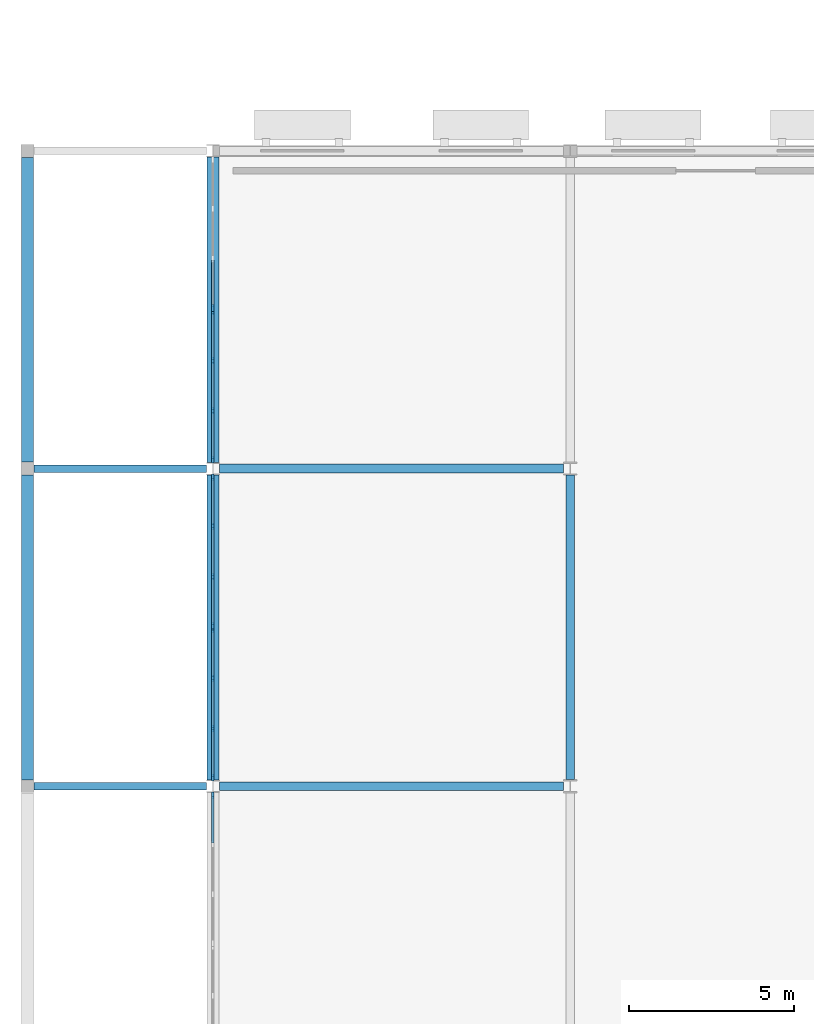
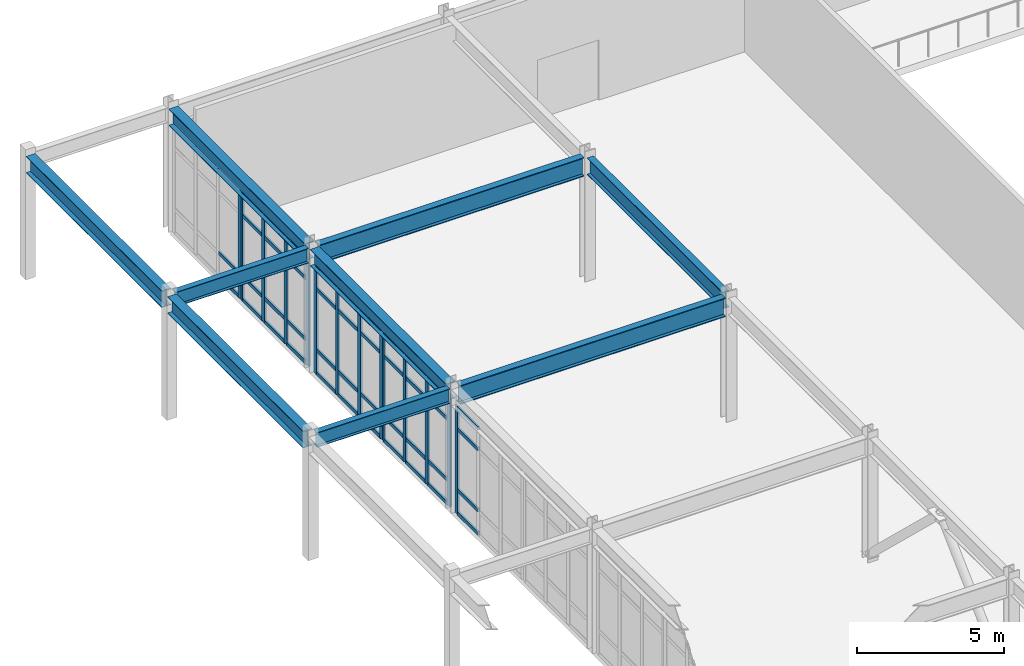
# One storey, part 21 of 72: 56 members, 9 beams, 5 elements without a shape of their own.
"""IFC4 building model written with IfcOpenShell, lengths in metres."""

from ifc_helpers import new_model, si_unit, direction, frame, origin, origin_2d, place, context, subcontext, project, spatial, rectangle, i_section, extrude, material, material_profile, profile_set, type_object, element, aggregate, save


model = new_model("IFC4")

# Units and contexts
model_context = context("Model", 3, precision=1e-05, world=origin(), true_north=direction((0.0, 1.0)))
body_context = subcontext(model_context, "Body", "Model", "MODEL_VIEW")
ifc_project = project(units=[si_unit("LENGTHUNIT", "METRE"), si_unit("AREAUNIT", "SQUARE_METRE"), si_unit("VOLUMEUNIT", "CUBIC_METRE"), si_unit("PLANEANGLEUNIT", "RADIAN"), si_unit("MASSUNIT", "GRAM", prefix="KILO")], contexts=[model_context])

# Site, building, storey
site_placement = place(None, origin())
site = spatial("IfcSite", under=ifc_project, at=site_placement, CompositionType="ELEMENT")
building_placement = place(site_placement, origin())
building = spatial("IfcBuilding", under=site, at=building_placement, Name="Veldera Park Congress Hotel", CompositionType="ELEMENT")
storey_placement = place(building_placement, frame((0.0, 0.0, 5.39990234375)))
storey = spatial("IfcBuildingStorey", under=building, at=storey_placement, Name="L01", CompositionType="ELEMENT", Elevation=5.39990234375)

# Beams
ifc_material_1 = material(Name="Steel ASTM A992 Gr.50", Category="steel")
ifc_material_profile_1 = material_profile(ifc_material_1, i_section(OverallWidth=0.22900390625, OverallDepth=0.612060546875, WebThickness=0.011962890625, FlangeThickness=0.01953125, at=origin_2d()), Name="W24X84")
ifc_profile_set_1 = profile_set([ifc_material_profile_1], Name="Steel ASTM A992 Gr.50")
beam_type_1 = type_object("IfcBeamType", Name="BM-W24", PredefinedType="BEAM", material=ifc_profile_set_1)
for number, where, z_axis, x_axis, name in (
    (1, (-83.60498046875, 7.800048828125, 4.82421875), (1.0, 0.0, 0.0), (0.0, 1.0, 0.0), "L01 Girder BM-W24 590"),
    (2, (-83.60498046875, 17.39990234375, 4.82421875), (1.0, 0.0, 0.0), (0.0, 1.0, 0.0), "L01 Girder BM-W24 596"),
):
    element("IfcBeam", number, at=place(storey_placement, frame(where, z_axis=z_axis, x_axis=x_axis)), inside=storey, type_object=beam_type_1, Name=name, PredefinedType="BEAM", context=body_context, shape_type="SweptSolid", body=[
        extrude(i_section(OverallWidth=0.22900390625, OverallDepth=0.612060546875, WebThickness=0.011962890625, FlangeThickness=0.01953125, at=origin_2d()), origin(), (0.0, 0.0, 1.0), 5.2080078125),
    ])
ifc_material_profile_2 = material_profile(ifc_material_1, i_section(OverallWidth=0.256103515625, OverallDepth=0.693115234375, WebThickness=0.014404296875, FlangeThickness=0.023681640625, at=origin_2d()), Name="W27X114")
ifc_profile_set_2 = profile_set([ifc_material_profile_2], Name="Steel ASTM A992 Gr.50")
beam_type_2 = type_object("IfcBeamType", Name="BM-W27", PredefinedType="BEAM", material=ifc_profile_set_2)
beam_1_placement = place(storey_placement, frame((-67.39990234375, 7.99951171875, 4.78369140625), z_axis=(0.0, 1.0, 0.0), x_axis=(-1.0, 0.0, 0.0)))
element("IfcBeam", 3, at=beam_1_placement, inside=storey, type_object=beam_type_2, Name="L01 Girder BM-W27 680", PredefinedType="BEAM", context=body_context, shape_type="SweptSolid", body=[
    extrude(i_section(OverallWidth=0.256103515625, OverallDepth=0.693115234375, WebThickness=0.014404296875, FlangeThickness=0.023681640625, at=origin_2d()), origin(), (0.0, 0.0, 1.0), 9.200927734375),
])
ifc_material_profile_3 = material_profile(ifc_material_1, i_section(OverallWidth=0.35498046875, OverallDepth=0.696044921875, WebThickness=0.015380859375, FlangeThickness=0.02490234375, at=origin_2d()), Name="W27X146")
ifc_profile_set_3 = profile_set([ifc_material_profile_3], Name="Steel ASTM A992 Gr.50")
beam_type_3 = type_object("IfcBeamType", Name="BM-W27E", PredefinedType="BEAM", material=ifc_profile_set_3)
for number, where, z_axis, x_axis, name in (
    (4, (-83.800048828125, 7.9951171875, 4.781982421875), (0.0, 1.0, 0.0), (-1.0, 0.0, 0.0), "L01 Girder BM-W27E 662"),
    (5, (-83.800048828125, 17.594970703125, 4.781982421875), (0.0, 1.0, 0.0), (-1.0, 0.0, 0.0), "L01 Girder BM-W27E 663"),
):
    element("IfcBeam", number, at=place(storey_placement, frame(where, z_axis=z_axis, x_axis=x_axis)), inside=storey, type_object=beam_type_3, Name=name, PredefinedType="BEAM", context=body_context, shape_type="SweptSolid", body=[
        extrude(i_section(OverallWidth=0.35498046875, OverallDepth=0.696044921875, WebThickness=0.015380859375, FlangeThickness=0.02490234375, at=origin_2d()), origin(), (0.0, 0.0, 1.0), 9.2099609375),
    ])
beam_2_placement = place(storey_placement, frame((-78.199951171875, 7.987548828125, 4.781982421875), z_axis=(0.0, 1.0, 0.0), x_axis=(-1.0, 0.0, 0.0)))
element("IfcBeam", 6, at=beam_2_placement, inside=storey, type_object=beam_type_3, Name="L01 Girder BM-W27E 671", PredefinedType="BEAM", context=body_context, shape_type="SweptSolid", body=[
    extrude(i_section(OverallWidth=0.35498046875, OverallDepth=0.696044921875, WebThickness=0.015380859375, FlangeThickness=0.02490234375, at=origin_2d()), origin(), (0.0, 0.0, 1.0), 9.224853515625),
])
beam_3_placement = place(storey_placement, frame((-78.199951171875, 17.58740234375, 4.781982421875), z_axis=(0.0, 1.0, 0.0), x_axis=(-1.0, 0.0, 0.0)))
element("IfcBeam", 7, at=beam_3_placement, inside=storey, type_object=beam_type_3, Name="L01 Girder BM-W27E 672", PredefinedType="BEAM", context=body_context, shape_type="SweptSolid", body=[
    extrude(i_section(OverallWidth=0.35498046875, OverallDepth=0.696044921875, WebThickness=0.015380859375, FlangeThickness=0.02490234375, at=origin_2d()), origin(), (0.0, 0.0, 1.0), 9.22509765625),
])
ifc_material_profile_4 = material_profile(ifc_material_1, i_section(OverallWidth=0.26708984375, OverallDepth=0.779052734375, WebThickness=0.0166015625, FlangeThickness=0.030029296875, at=origin_2d()), Name="W30X148")
ifc_profile_set_4 = profile_set([ifc_material_profile_4], Name="Steel ASTM A992 Gr.50")
beam_type_4 = type_object("IfcBeamType", Name="BM-W30", PredefinedType="BEAM", material=ifc_profile_set_4)
for number, where, z_axis, x_axis, name in (
    (8, (-78.0029296875, 7.800048828125, 4.740478515625), (1.0, 0.0, 0.0), (0.0, 1.0, 0.0), "L01 Girder BM-W30 591"),
    (9, (-78.0029296875, 17.39990234375, 4.740478515625), (1.0, 0.0, 0.0), (0.0, 1.0, 0.0), "L01 Girder BM-W30 597"),
):
    element("IfcBeam", number, at=place(storey_placement, frame(where, z_axis=z_axis, x_axis=x_axis)), inside=storey, type_object=beam_type_4, Name=name, PredefinedType="BEAM", context=body_context, shape_type="SweptSolid", body=[
        extrude(i_section(OverallWidth=0.26708984375, OverallDepth=0.779052734375, WebThickness=0.0166015625, FlangeThickness=0.030029296875, at=origin_2d()), origin(), (0.0, 0.0, 1.0), 10.40234375),
    ])

# Curtain wall, member
ifc_material_2 = material(Name="Low-E Triple Insulating Glass Unit (SHGC 0.22)", Category="glass")
curtain_wall_type = type_object("IfcCurtainWallType", Name="CW-CNG", PredefinedType="NOTDEFINED", material=ifc_material_2)
curtain_wall_1_placement = place(storey_placement, origin())
curtain_wall_1 = element("IfcCurtainWall", 10, at=curtain_wall_1_placement, inside=storey, type_object=curtain_wall_type, Name="L01 Curtain Wall CW3-V1W-L01-011", PredefinedType="NOTDEFINED")
ifc_material_3 = material(Name="Anodised Aluminium Alloy 6063-T6", Category="aluminium")
ifc_material_profile_5 = material_profile(ifc_material_3, rectangle(XDim=0.074951171875, YDim=0.199951171875, at=origin_2d()), Name="ALU 75x200")
ifc_profile_set_5 = profile_set([ifc_material_profile_5], Name="Anodised Aluminium Alloy 6063-T6")
member_type_1 = type_object("IfcMemberType", Name="CWM-200", PredefinedType="MULLION", material=ifc_profile_set_5)
member_1_placement = place(storey_placement, frame((-78.199951171875, 22.25244140625, 0.0), z_axis=(0.0, 0.0, 1.0), x_axis=(1.0, 0.0, 0.0)))
member_1 = element("IfcMember", 11, at=member_1_placement, type_object=member_type_1, Name="CW-CNG mullion 4", PredefinedType="MULLION", context=body_context, shape_type="SweptSolid", body=[
    extrude(rectangle(XDim=0.074951171875, YDim=0.199951171875, at=origin_2d()), origin(), (0.0, 0.0, 1.0), 4.42919921875),
])

# Curtain wall, members
curtain_wall_2_placement = place(storey_placement, origin())
curtain_wall_2 = element("IfcCurtainWall", 12, at=curtain_wall_2_placement, inside=storey, type_object=curtain_wall_type, Name="L01 Curtain Wall CW3-V1W-L01-012", PredefinedType="NOTDEFINED")
member_2_placement = place(storey_placement, frame((-78.199951171875, 22.1474609375, 0.0), z_axis=(0.0, 0.0, 1.0), x_axis=(1.0, 0.0, 0.0)))
member_2 = element("IfcMember", 13, at=member_2_placement, type_object=member_type_1, Name="CW-CNG mullion 1", PredefinedType="MULLION", context=body_context, shape_type="SweptSolid", body=[
    extrude(rectangle(XDim=0.074951171875, YDim=0.199951171875, at=origin_2d()), origin(), (0.0, 0.0, 1.0), 4.42919921875),
])
member_3_placement = place(storey_placement, frame((-78.199951171875, 20.665771484375, 0.0), z_axis=(0.0, 0.0, 1.0), x_axis=(1.0, 0.0, 0.0)))
member_3 = element("IfcMember", 14, at=member_3_placement, type_object=member_type_1, Name="CW-CNG mullion 2", PredefinedType="MULLION", context=body_context, shape_type="SweptSolid", body=[
    extrude(rectangle(XDim=0.074951171875, YDim=0.199951171875, at=origin_2d()), origin(), (0.0, 0.0, 1.0), 4.42919921875),
])
member_4_placement = place(storey_placement, frame((-78.199951171875, 19.146728515625, 0.0), z_axis=(0.0, 0.0, 1.0), x_axis=(1.0, 0.0, 0.0)))
member_4 = element("IfcMember", 15, at=member_4_placement, type_object=member_type_1, Name="CW-CNG mullion 3", PredefinedType="MULLION", context=body_context, shape_type="SweptSolid", body=[
    extrude(rectangle(XDim=0.074951171875, YDim=0.199951171875, at=origin_2d()), origin(), (0.0, 0.0, 1.0), 4.42919921875),
])
member_5_placement = place(storey_placement, frame((-78.199951171875, 17.6650390625, 0.0), z_axis=(0.0, 0.0, 1.0), x_axis=(1.0, 0.0, 0.0)))
member_5 = element("IfcMember", 16, at=member_5_placement, type_object=member_type_1, Name="CW-CNG mullion 4", PredefinedType="MULLION", context=body_context, shape_type="SweptSolid", body=[
    extrude(rectangle(XDim=0.074951171875, YDim=0.199951171875, at=origin_2d()), origin(), (0.0, 0.0, 1.0), 4.42919921875),
])

curtain_wall_3_placement = place(storey_placement, origin())
curtain_wall_3 = element("IfcCurtainWall", 17, at=curtain_wall_3_placement, inside=storey, type_object=curtain_wall_type, Name="L01 Curtain Wall CW3-V1W-L01-013", PredefinedType="NOTDEFINED")
member_6_placement = place(storey_placement, frame((-78.199951171875, 17.135009765625, 0.0), z_axis=(0.0, 0.0, 1.0), x_axis=(1.0, 0.0, 0.0)))
member_6 = element("IfcMember", 18, at=member_6_placement, type_object=member_type_1, Name="CW-CNG mullion 1", PredefinedType="MULLION", context=body_context, shape_type="SweptSolid", body=[
    extrude(rectangle(XDim=0.074951171875, YDim=0.199951171875, at=origin_2d()), origin(), (0.0, 0.0, 1.0), 4.42919921875),
])
member_7_placement = place(storey_placement, frame((-78.199951171875, 15.6533203125, 0.0), z_axis=(0.0, 0.0, 1.0), x_axis=(1.0, 0.0, 0.0)))
member_7 = element("IfcMember", 19, at=member_7_placement, type_object=member_type_1, Name="CW-CNG mullion 2", PredefinedType="MULLION", context=body_context, shape_type="SweptSolid", body=[
    extrude(rectangle(XDim=0.074951171875, YDim=0.199951171875, at=origin_2d()), origin(), (0.0, 0.0, 1.0), 4.42919921875),
])
member_8_placement = place(storey_placement, frame((-78.199951171875, 14.13427734375, 0.0), z_axis=(0.0, 0.0, 1.0), x_axis=(1.0, 0.0, 0.0)))
member_8 = element("IfcMember", 20, at=member_8_placement, type_object=member_type_1, Name="CW-CNG mullion 3", PredefinedType="MULLION", context=body_context, shape_type="SweptSolid", body=[
    extrude(rectangle(XDim=0.074951171875, YDim=0.199951171875, at=origin_2d()), origin(), (0.0, 0.0, 1.0), 4.42919921875),
])
member_9_placement = place(storey_placement, frame((-78.199951171875, 12.652587890625, 0.0), z_axis=(0.0, 0.0, 1.0), x_axis=(1.0, 0.0, 0.0)))
member_9 = element("IfcMember", 21, at=member_9_placement, type_object=member_type_1, Name="CW-CNG mullion 4", PredefinedType="MULLION", context=body_context, shape_type="SweptSolid", body=[
    extrude(rectangle(XDim=0.074951171875, YDim=0.199951171875, at=origin_2d()), origin(), (0.0, 0.0, 1.0), 4.42919921875),
])

curtain_wall_4_placement = place(storey_placement, origin())
curtain_wall_4 = element("IfcCurtainWall", 22, at=curtain_wall_4_placement, inside=storey, type_object=curtain_wall_type, Name="L01 Curtain Wall CW3-V1W-L01-014", PredefinedType="NOTDEFINED")
member_10_placement = place(storey_placement, frame((-78.199951171875, 12.547607421875, 0.0), z_axis=(0.0, 0.0, 1.0), x_axis=(1.0, 0.0, 0.0)))
member_10 = element("IfcMember", 23, at=member_10_placement, type_object=member_type_1, Name="CW-CNG mullion 1", PredefinedType="MULLION", context=body_context, shape_type="SweptSolid", body=[
    extrude(rectangle(XDim=0.074951171875, YDim=0.199951171875, at=origin_2d()), origin(), (0.0, 0.0, 1.0), 4.42919921875),
])
member_11_placement = place(storey_placement, frame((-78.199951171875, 11.06591796875, 0.0), z_axis=(0.0, 0.0, 1.0), x_axis=(1.0, 0.0, 0.0)))
member_11 = element("IfcMember", 24, at=member_11_placement, type_object=member_type_1, Name="CW-CNG mullion 2", PredefinedType="MULLION", context=body_context, shape_type="SweptSolid", body=[
    extrude(rectangle(XDim=0.074951171875, YDim=0.199951171875, at=origin_2d()), origin(), (0.0, 0.0, 1.0), 4.42919921875),
])
member_12_placement = place(storey_placement, frame((-78.199951171875, 9.546630859375, 0.0), z_axis=(0.0, 0.0, 1.0), x_axis=(1.0, 0.0, 0.0)))
member_12 = element("IfcMember", 25, at=member_12_placement, type_object=member_type_1, Name="CW-CNG mullion 3", PredefinedType="MULLION", context=body_context, shape_type="SweptSolid", body=[
    extrude(rectangle(XDim=0.074951171875, YDim=0.199951171875, at=origin_2d()), origin(), (0.0, 0.0, 1.0), 4.42919921875),
])
member_13_placement = place(storey_placement, frame((-78.199951171875, 8.06494140625, 0.0), z_axis=(0.0, 0.0, 1.0), x_axis=(1.0, 0.0, 0.0)))
member_13 = element("IfcMember", 26, at=member_13_placement, type_object=member_type_1, Name="CW-CNG mullion 4", PredefinedType="MULLION", context=body_context, shape_type="SweptSolid", body=[
    extrude(rectangle(XDim=0.074951171875, YDim=0.199951171875, at=origin_2d()), origin(), (0.0, 0.0, 1.0), 4.42919921875),
])

# Curtain wall, member
curtain_wall_5_placement = place(storey_placement, origin())
curtain_wall_5 = element("IfcCurtainWall", 27, at=curtain_wall_5_placement, inside=storey, type_object=curtain_wall_type, Name="L01 Curtain Wall CW3-V1W-L01-015", PredefinedType="NOTDEFINED")
member_14_placement = place(storey_placement, frame((-78.199951171875, 7.534912109375, 0.0), z_axis=(0.0, 0.0, 1.0), x_axis=(1.0, 0.0, 0.0)))
member_14 = element("IfcMember", 28, at=member_14_placement, type_object=member_type_1, Name="CW-CNG mullion 1", PredefinedType="MULLION", context=body_context, shape_type="SweptSolid", body=[
    extrude(rectangle(XDim=0.074951171875, YDim=0.199951171875, at=origin_2d()), origin(), (0.0, 0.0, 1.0), 4.42919921875),
])

# Member
ifc_material_profile_6 = material_profile(ifc_material_3, rectangle(XDim=0.074951171875, YDim=0.14990234375, at=origin_2d()), Name="ALU 75x150")
ifc_profile_set_6 = profile_set([ifc_material_profile_6], Name="Anodised Aluminium Alloy 6063-T6")
member_type_2 = type_object("IfcMemberType", Name="CWT-150", PredefinedType="USERDEFINED", material=ifc_profile_set_6)
member_15_placement = place(storey_placement, frame((-78.199951171875, 23.69677734375, 0.03759765625), z_axis=(0.0, -1.0, 0.0), x_axis=(1.0, 0.0, 0.0)))
member_15 = element("IfcMember", 29, at=member_15_placement, type_object=member_type_2, Name="CW-CNG transom 3.1", ObjectType="TRANSOM", PredefinedType="USERDEFINED", context=body_context, shape_type="SweptSolid", body=[
    extrude(rectangle(XDim=0.074951171875, YDim=0.14990234375, at=origin_2d()), origin(), (0.0, 0.0, 1.0), 1.40673828125),
])

member_16_placement = place(storey_placement, frame((-78.199951171875, 23.69677734375, 1.0), z_axis=(0.0, -1.0, 0.0), x_axis=(1.0, 0.0, 0.0)))
member_16 = element("IfcMember", 30, at=member_16_placement, type_object=member_type_2, Name="CW-CNG transom 3.2", ObjectType="TRANSOM", PredefinedType="USERDEFINED", context=body_context, shape_type="SweptSolid", body=[
    extrude(rectangle(XDim=0.074951171875, YDim=0.14990234375, at=origin_2d()), origin(), (0.0, 0.0, 1.0), 1.40673828125),
])

aggregate(curtain_wall_1, [member_1, member_15, member_16])

member_17_placement = place(storey_placement, frame((-78.199951171875, 22.110107421875, 0.03759765625), z_axis=(0.0, -1.0, 0.0), x_axis=(1.0, 0.0, 0.0)))
member_17 = element("IfcMember", 31, at=member_17_placement, type_object=member_type_2, Name="CW-CNG transom 1.1", ObjectType="TRANSOM", PredefinedType="USERDEFINED", context=body_context, shape_type="SweptSolid", body=[
    extrude(rectangle(XDim=0.074951171875, YDim=0.14990234375, at=origin_2d()), origin(), (0.0, 0.0, 1.0), 1.40673828125),
])

member_18_placement = place(storey_placement, frame((-78.199951171875, 22.110107421875, 1.0), z_axis=(0.0, -1.0, 0.0), x_axis=(1.0, 0.0, 0.0)))
member_18 = element("IfcMember", 32, at=member_18_placement, type_object=member_type_2, Name="CW-CNG transom 1.2", ObjectType="TRANSOM", PredefinedType="USERDEFINED", context=body_context, shape_type="SweptSolid", body=[
    extrude(rectangle(XDim=0.074951171875, YDim=0.14990234375, at=origin_2d()), origin(), (0.0, 0.0, 1.0), 1.40673828125),
])

member_19_placement = place(storey_placement, frame((-78.199951171875, 22.110107421875, 3.529052734375), z_axis=(0.0, -1.0, 0.0), x_axis=(1.0, 0.0, 0.0)))
member_19 = element("IfcMember", 33, at=member_19_placement, type_object=member_type_2, Name="CW-CNG transom 1.3", ObjectType="TRANSOM", PredefinedType="USERDEFINED", context=body_context, shape_type="SweptSolid", body=[
    extrude(rectangle(XDim=0.074951171875, YDim=0.14990234375, at=origin_2d()), origin(), (0.0, 0.0, 1.0), 1.40673828125),
])

member_20_placement = place(storey_placement, frame((-78.199951171875, 22.110107421875, 4.3916015625), z_axis=(0.0, -1.0, 0.0), x_axis=(1.0, 0.0, 0.0)))
member_20 = element("IfcMember", 34, at=member_20_placement, type_object=member_type_2, Name="CW-CNG transom 1.4", ObjectType="TRANSOM", PredefinedType="USERDEFINED", context=body_context, shape_type="SweptSolid", body=[
    extrude(rectangle(XDim=0.074951171875, YDim=0.14990234375, at=origin_2d()), origin(), (0.0, 0.0, 1.0), 1.40673828125),
])

member_21_placement = place(storey_placement, frame((-78.199951171875, 20.62841796875, 0.03759765625), z_axis=(0.0, -1.0, 0.0), x_axis=(1.0, 0.0, 0.0)))
member_21 = element("IfcMember", 35, at=member_21_placement, type_object=member_type_2, Name="CW-CNG transom 2.1", ObjectType="TRANSOM", PredefinedType="USERDEFINED", context=body_context, shape_type="SweptSolid", body=[
    extrude(rectangle(XDim=0.074951171875, YDim=0.14990234375, at=origin_2d()), origin(), (0.0, 0.0, 1.0), 1.4443359375),
])

member_22_placement = place(storey_placement, frame((-78.199951171875, 20.62841796875, 1.0), z_axis=(0.0, -1.0, 0.0), x_axis=(1.0, 0.0, 0.0)))
member_22 = element("IfcMember", 36, at=member_22_placement, type_object=member_type_2, Name="CW-CNG transom 2.2", ObjectType="TRANSOM", PredefinedType="USERDEFINED", context=body_context, shape_type="SweptSolid", body=[
    extrude(rectangle(XDim=0.074951171875, YDim=0.14990234375, at=origin_2d()), origin(), (0.0, 0.0, 1.0), 1.4443359375),
])

member_23_placement = place(storey_placement, frame((-78.199951171875, 20.62841796875, 3.529052734375), z_axis=(0.0, -1.0, 0.0), x_axis=(1.0, 0.0, 0.0)))
member_23 = element("IfcMember", 37, at=member_23_placement, type_object=member_type_2, Name="CW-CNG transom 2.3", ObjectType="TRANSOM", PredefinedType="USERDEFINED", context=body_context, shape_type="SweptSolid", body=[
    extrude(rectangle(XDim=0.074951171875, YDim=0.14990234375, at=origin_2d()), origin(), (0.0, 0.0, 1.0), 1.4443359375),
])

member_24_placement = place(storey_placement, frame((-78.199951171875, 20.62841796875, 4.3916015625), z_axis=(0.0, -1.0, 0.0), x_axis=(1.0, 0.0, 0.0)))
member_24 = element("IfcMember", 38, at=member_24_placement, type_object=member_type_2, Name="CW-CNG transom 2.4", ObjectType="TRANSOM", PredefinedType="USERDEFINED", context=body_context, shape_type="SweptSolid", body=[
    extrude(rectangle(XDim=0.074951171875, YDim=0.14990234375, at=origin_2d()), origin(), (0.0, 0.0, 1.0), 1.4443359375),
])

member_25_placement = place(storey_placement, frame((-78.199951171875, 19.109130859375, 0.03759765625), z_axis=(0.0, -1.0, 0.0), x_axis=(1.0, 0.0, 0.0)))
member_25 = element("IfcMember", 39, at=member_25_placement, type_object=member_type_2, Name="CW-CNG transom 3.1", ObjectType="TRANSOM", PredefinedType="USERDEFINED", context=body_context, shape_type="SweptSolid", body=[
    extrude(rectangle(XDim=0.074951171875, YDim=0.14990234375, at=origin_2d()), origin(), (0.0, 0.0, 1.0), 1.40673828125),
])

member_26_placement = place(storey_placement, frame((-78.199951171875, 19.109130859375, 1.0), z_axis=(0.0, -1.0, 0.0), x_axis=(1.0, 0.0, 0.0)))
member_26 = element("IfcMember", 40, at=member_26_placement, type_object=member_type_2, Name="CW-CNG transom 3.2", ObjectType="TRANSOM", PredefinedType="USERDEFINED", context=body_context, shape_type="SweptSolid", body=[
    extrude(rectangle(XDim=0.074951171875, YDim=0.14990234375, at=origin_2d()), origin(), (0.0, 0.0, 1.0), 1.40673828125),
])

member_27_placement = place(storey_placement, frame((-78.199951171875, 19.109130859375, 3.529052734375), z_axis=(0.0, -1.0, 0.0), x_axis=(1.0, 0.0, 0.0)))
member_27 = element("IfcMember", 41, at=member_27_placement, type_object=member_type_2, Name="CW-CNG transom 3.3", ObjectType="TRANSOM", PredefinedType="USERDEFINED", context=body_context, shape_type="SweptSolid", body=[
    extrude(rectangle(XDim=0.074951171875, YDim=0.14990234375, at=origin_2d()), origin(), (0.0, 0.0, 1.0), 1.40673828125),
])

member_28_placement = place(storey_placement, frame((-78.199951171875, 19.109130859375, 4.3916015625), z_axis=(0.0, -1.0, 0.0), x_axis=(1.0, 0.0, 0.0)))
member_28 = element("IfcMember", 42, at=member_28_placement, type_object=member_type_2, Name="CW-CNG transom 3.4", ObjectType="TRANSOM", PredefinedType="USERDEFINED", context=body_context, shape_type="SweptSolid", body=[
    extrude(rectangle(XDim=0.074951171875, YDim=0.14990234375, at=origin_2d()), origin(), (0.0, 0.0, 1.0), 1.40673828125),
])

aggregate(curtain_wall_2, [member_2, member_3, member_4, member_5, member_17, member_18, member_19, member_20, member_21, member_22, member_23, member_24, member_25, member_26, member_27, member_28])

member_29_placement = place(storey_placement, frame((-78.199951171875, 17.097412109375, 0.03759765625), z_axis=(0.0, -1.0, 0.0), x_axis=(1.0, 0.0, 0.0)))
member_29 = element("IfcMember", 43, at=member_29_placement, type_object=member_type_2, Name="CW-CNG transom 1.1", ObjectType="TRANSOM", PredefinedType="USERDEFINED", context=body_context, shape_type="SweptSolid", body=[
    extrude(rectangle(XDim=0.074951171875, YDim=0.14990234375, at=origin_2d()), origin(), (0.0, 0.0, 1.0), 1.406494140625),
])

member_30_placement = place(storey_placement, frame((-78.199951171875, 17.097412109375, 1.0), z_axis=(0.0, -1.0, 0.0), x_axis=(1.0, 0.0, 0.0)))
member_30 = element("IfcMember", 44, at=member_30_placement, type_object=member_type_2, Name="CW-CNG transom 1.2", ObjectType="TRANSOM", PredefinedType="USERDEFINED", context=body_context, shape_type="SweptSolid", body=[
    extrude(rectangle(XDim=0.074951171875, YDim=0.14990234375, at=origin_2d()), origin(), (0.0, 0.0, 1.0), 1.406494140625),
])

member_31_placement = place(storey_placement, frame((-78.199951171875, 17.097412109375, 3.529052734375), z_axis=(0.0, -1.0, 0.0), x_axis=(1.0, 0.0, 0.0)))
member_31 = element("IfcMember", 45, at=member_31_placement, type_object=member_type_2, Name="CW-CNG transom 1.3", ObjectType="TRANSOM", PredefinedType="USERDEFINED", context=body_context, shape_type="SweptSolid", body=[
    extrude(rectangle(XDim=0.074951171875, YDim=0.14990234375, at=origin_2d()), origin(), (0.0, 0.0, 1.0), 1.406494140625),
])

member_32_placement = place(storey_placement, frame((-78.199951171875, 17.097412109375, 4.3916015625), z_axis=(0.0, -1.0, 0.0), x_axis=(1.0, 0.0, 0.0)))
member_32 = element("IfcMember", 46, at=member_32_placement, type_object=member_type_2, Name="CW-CNG transom 1.4", ObjectType="TRANSOM", PredefinedType="USERDEFINED", context=body_context, shape_type="SweptSolid", body=[
    extrude(rectangle(XDim=0.074951171875, YDim=0.14990234375, at=origin_2d()), origin(), (0.0, 0.0, 1.0), 1.406494140625),
])

member_33_placement = place(storey_placement, frame((-78.199951171875, 15.61572265625, 0.03759765625), z_axis=(0.0, -1.0, 0.0), x_axis=(1.0, 0.0, 0.0)))
member_33 = element("IfcMember", 47, at=member_33_placement, type_object=member_type_2, Name="CW-CNG transom 2.1", ObjectType="TRANSOM", PredefinedType="USERDEFINED", context=body_context, shape_type="SweptSolid", body=[
    extrude(rectangle(XDim=0.074951171875, YDim=0.14990234375, at=origin_2d()), origin(), (0.0, 0.0, 1.0), 1.444091796875),
])

member_34_placement = place(storey_placement, frame((-78.199951171875, 15.61572265625, 1.0), z_axis=(0.0, -1.0, 0.0), x_axis=(1.0, 0.0, 0.0)))
member_34 = element("IfcMember", 48, at=member_34_placement, type_object=member_type_2, Name="CW-CNG transom 2.2", ObjectType="TRANSOM", PredefinedType="USERDEFINED", context=body_context, shape_type="SweptSolid", body=[
    extrude(rectangle(XDim=0.074951171875, YDim=0.14990234375, at=origin_2d()), origin(), (0.0, 0.0, 1.0), 1.444091796875),
])

member_35_placement = place(storey_placement, frame((-78.199951171875, 15.61572265625, 3.529052734375), z_axis=(0.0, -1.0, 0.0), x_axis=(1.0, 0.0, 0.0)))
member_35 = element("IfcMember", 49, at=member_35_placement, type_object=member_type_2, Name="CW-CNG transom 2.3", ObjectType="TRANSOM", PredefinedType="USERDEFINED", context=body_context, shape_type="SweptSolid", body=[
    extrude(rectangle(XDim=0.074951171875, YDim=0.14990234375, at=origin_2d()), origin(), (0.0, 0.0, 1.0), 1.444091796875),
])

member_36_placement = place(storey_placement, frame((-78.199951171875, 15.61572265625, 4.3916015625), z_axis=(0.0, -1.0, 0.0), x_axis=(1.0, 0.0, 0.0)))
member_36 = element("IfcMember", 50, at=member_36_placement, type_object=member_type_2, Name="CW-CNG transom 2.4", ObjectType="TRANSOM", PredefinedType="USERDEFINED", context=body_context, shape_type="SweptSolid", body=[
    extrude(rectangle(XDim=0.074951171875, YDim=0.14990234375, at=origin_2d()), origin(), (0.0, 0.0, 1.0), 1.444091796875),
])

member_37_placement = place(storey_placement, frame((-78.199951171875, 14.0966796875, 0.03759765625), z_axis=(0.0, -1.0, 0.0), x_axis=(1.0, 0.0, 0.0)))
member_37 = element("IfcMember", 51, at=member_37_placement, type_object=member_type_2, Name="CW-CNG transom 3.1", ObjectType="TRANSOM", PredefinedType="USERDEFINED", context=body_context, shape_type="SweptSolid", body=[
    extrude(rectangle(XDim=0.074951171875, YDim=0.14990234375, at=origin_2d()), origin(), (0.0, 0.0, 1.0), 1.40673828125),
])

member_38_placement = place(storey_placement, frame((-78.199951171875, 14.0966796875, 1.0), z_axis=(0.0, -1.0, 0.0), x_axis=(1.0, 0.0, 0.0)))
member_38 = element("IfcMember", 52, at=member_38_placement, type_object=member_type_2, Name="CW-CNG transom 3.2", ObjectType="TRANSOM", PredefinedType="USERDEFINED", context=body_context, shape_type="SweptSolid", body=[
    extrude(rectangle(XDim=0.074951171875, YDim=0.14990234375, at=origin_2d()), origin(), (0.0, 0.0, 1.0), 1.40673828125),
])

member_39_placement = place(storey_placement, frame((-78.199951171875, 14.0966796875, 3.529052734375), z_axis=(0.0, -1.0, 0.0), x_axis=(1.0, 0.0, 0.0)))
member_39 = element("IfcMember", 53, at=member_39_placement, type_object=member_type_2, Name="CW-CNG transom 3.3", ObjectType="TRANSOM", PredefinedType="USERDEFINED", context=body_context, shape_type="SweptSolid", body=[
    extrude(rectangle(XDim=0.074951171875, YDim=0.14990234375, at=origin_2d()), origin(), (0.0, 0.0, 1.0), 1.40673828125),
])

member_40_placement = place(storey_placement, frame((-78.199951171875, 14.0966796875, 4.3916015625), z_axis=(0.0, -1.0, 0.0), x_axis=(1.0, 0.0, 0.0)))
member_40 = element("IfcMember", 54, at=member_40_placement, type_object=member_type_2, Name="CW-CNG transom 3.4", ObjectType="TRANSOM", PredefinedType="USERDEFINED", context=body_context, shape_type="SweptSolid", body=[
    extrude(rectangle(XDim=0.074951171875, YDim=0.14990234375, at=origin_2d()), origin(), (0.0, 0.0, 1.0), 1.40673828125),
])

aggregate(curtain_wall_3, [member_6, member_7, member_8, member_9, member_29, member_30, member_31, member_32, member_33, member_34, member_35, member_36, member_37, member_38, member_39, member_40])

member_41_placement = place(storey_placement, frame((-78.199951171875, 12.510009765625, 0.03759765625), z_axis=(0.0, -1.0, 0.0), x_axis=(1.0, 0.0, 0.0)))
member_41 = element("IfcMember", 55, at=member_41_placement, type_object=member_type_2, Name="CW-CNG transom 1.1", ObjectType="TRANSOM", PredefinedType="USERDEFINED", context=body_context, shape_type="SweptSolid", body=[
    extrude(rectangle(XDim=0.074951171875, YDim=0.14990234375, at=origin_2d()), origin(), (0.0, 0.0, 1.0), 1.40673828125),
])

member_42_placement = place(storey_placement, frame((-78.199951171875, 12.510009765625, 1.0), z_axis=(0.0, -1.0, 0.0), x_axis=(1.0, 0.0, 0.0)))
member_42 = element("IfcMember", 56, at=member_42_placement, type_object=member_type_2, Name="CW-CNG transom 1.2", ObjectType="TRANSOM", PredefinedType="USERDEFINED", context=body_context, shape_type="SweptSolid", body=[
    extrude(rectangle(XDim=0.074951171875, YDim=0.14990234375, at=origin_2d()), origin(), (0.0, 0.0, 1.0), 1.40673828125),
])

member_43_placement = place(storey_placement, frame((-78.199951171875, 12.510009765625, 3.529052734375), z_axis=(0.0, -1.0, 0.0), x_axis=(1.0, 0.0, 0.0)))
member_43 = element("IfcMember", 57, at=member_43_placement, type_object=member_type_2, Name="CW-CNG transom 1.3", ObjectType="TRANSOM", PredefinedType="USERDEFINED", context=body_context, shape_type="SweptSolid", body=[
    extrude(rectangle(XDim=0.074951171875, YDim=0.14990234375, at=origin_2d()), origin(), (0.0, 0.0, 1.0), 1.40673828125),
])

member_44_placement = place(storey_placement, frame((-78.199951171875, 12.510009765625, 4.3916015625), z_axis=(0.0, -1.0, 0.0), x_axis=(1.0, 0.0, 0.0)))
member_44 = element("IfcMember", 58, at=member_44_placement, type_object=member_type_2, Name="CW-CNG transom 1.4", ObjectType="TRANSOM", PredefinedType="USERDEFINED", context=body_context, shape_type="SweptSolid", body=[
    extrude(rectangle(XDim=0.074951171875, YDim=0.14990234375, at=origin_2d()), origin(), (0.0, 0.0, 1.0), 1.40673828125),
])

member_45_placement = place(storey_placement, frame((-78.199951171875, 11.0283203125, 0.03759765625), z_axis=(0.0, -1.0, 0.0), x_axis=(1.0, 0.0, 0.0)))
member_45 = element("IfcMember", 59, at=member_45_placement, type_object=member_type_2, Name="CW-CNG transom 2.1", ObjectType="TRANSOM", PredefinedType="USERDEFINED", context=body_context, shape_type="SweptSolid", body=[
    extrude(rectangle(XDim=0.074951171875, YDim=0.14990234375, at=origin_2d()), origin(), (0.0, 0.0, 1.0), 1.444091796875),
])

member_46_placement = place(storey_placement, frame((-78.199951171875, 11.0283203125, 1.0), z_axis=(0.0, -1.0, 0.0), x_axis=(1.0, 0.0, 0.0)))
member_46 = element("IfcMember", 60, at=member_46_placement, type_object=member_type_2, Name="CW-CNG transom 2.2", ObjectType="TRANSOM", PredefinedType="USERDEFINED", context=body_context, shape_type="SweptSolid", body=[
    extrude(rectangle(XDim=0.074951171875, YDim=0.14990234375, at=origin_2d()), origin(), (0.0, 0.0, 1.0), 1.444091796875),
])

member_47_placement = place(storey_placement, frame((-78.199951171875, 11.0283203125, 3.529052734375), z_axis=(0.0, -1.0, 0.0), x_axis=(1.0, 0.0, 0.0)))
member_47 = element("IfcMember", 61, at=member_47_placement, type_object=member_type_2, Name="CW-CNG transom 2.3", ObjectType="TRANSOM", PredefinedType="USERDEFINED", context=body_context, shape_type="SweptSolid", body=[
    extrude(rectangle(XDim=0.074951171875, YDim=0.14990234375, at=origin_2d()), origin(), (0.0, 0.0, 1.0), 1.444091796875),
])

member_48_placement = place(storey_placement, frame((-78.199951171875, 11.0283203125, 4.3916015625), z_axis=(0.0, -1.0, 0.0), x_axis=(1.0, 0.0, 0.0)))
member_48 = element("IfcMember", 62, at=member_48_placement, type_object=member_type_2, Name="CW-CNG transom 2.4", ObjectType="TRANSOM", PredefinedType="USERDEFINED", context=body_context, shape_type="SweptSolid", body=[
    extrude(rectangle(XDim=0.074951171875, YDim=0.14990234375, at=origin_2d()), origin(), (0.0, 0.0, 1.0), 1.444091796875),
])

member_49_placement = place(storey_placement, frame((-78.199951171875, 9.50927734375, 0.03759765625), z_axis=(0.0, -1.0, 0.0), x_axis=(1.0, 0.0, 0.0)))
member_49 = element("IfcMember", 63, at=member_49_placement, type_object=member_type_2, Name="CW-CNG transom 3.1", ObjectType="TRANSOM", PredefinedType="USERDEFINED", context=body_context, shape_type="SweptSolid", body=[
    extrude(rectangle(XDim=0.074951171875, YDim=0.14990234375, at=origin_2d()), origin(), (0.0, 0.0, 1.0), 1.40673828125),
])

member_50_placement = place(storey_placement, frame((-78.199951171875, 9.50927734375, 1.0), z_axis=(0.0, -1.0, 0.0), x_axis=(1.0, 0.0, 0.0)))
member_50 = element("IfcMember", 64, at=member_50_placement, type_object=member_type_2, Name="CW-CNG transom 3.2", ObjectType="TRANSOM", PredefinedType="USERDEFINED", context=body_context, shape_type="SweptSolid", body=[
    extrude(rectangle(XDim=0.074951171875, YDim=0.14990234375, at=origin_2d()), origin(), (0.0, 0.0, 1.0), 1.40673828125),
])

member_51_placement = place(storey_placement, frame((-78.199951171875, 9.50927734375, 3.529052734375), z_axis=(0.0, -1.0, 0.0), x_axis=(1.0, 0.0, 0.0)))
member_51 = element("IfcMember", 65, at=member_51_placement, type_object=member_type_2, Name="CW-CNG transom 3.3", ObjectType="TRANSOM", PredefinedType="USERDEFINED", context=body_context, shape_type="SweptSolid", body=[
    extrude(rectangle(XDim=0.074951171875, YDim=0.14990234375, at=origin_2d()), origin(), (0.0, 0.0, 1.0), 1.40673828125),
])

member_52_placement = place(storey_placement, frame((-78.199951171875, 9.50927734375, 4.3916015625), z_axis=(0.0, -1.0, 0.0), x_axis=(1.0, 0.0, 0.0)))
member_52 = element("IfcMember", 66, at=member_52_placement, type_object=member_type_2, Name="CW-CNG transom 3.4", ObjectType="TRANSOM", PredefinedType="USERDEFINED", context=body_context, shape_type="SweptSolid", body=[
    extrude(rectangle(XDim=0.074951171875, YDim=0.14990234375, at=origin_2d()), origin(), (0.0, 0.0, 1.0), 1.40673828125),
])

aggregate(curtain_wall_4, [member_10, member_11, member_12, member_13, member_41, member_42, member_43, member_44, member_45, member_46, member_47, member_48, member_49, member_50, member_51, member_52])

member_53_placement = place(storey_placement, frame((-78.199951171875, 7.49755859375, 0.03759765625), z_axis=(0.0, -1.0, 0.0), x_axis=(1.0, 0.0, 0.0)))
member_53 = element("IfcMember", 67, at=member_53_placement, type_object=member_type_2, Name="CW-CNG transom 1.1", ObjectType="TRANSOM", PredefinedType="USERDEFINED", context=body_context, shape_type="SweptSolid", body=[
    extrude(rectangle(XDim=0.074951171875, YDim=0.14990234375, at=origin_2d()), origin(), (0.0, 0.0, 1.0), 1.40673828125),
])

member_54_placement = place(storey_placement, frame((-78.199951171875, 7.49755859375, 1.0), z_axis=(0.0, -1.0, 0.0), x_axis=(1.0, 0.0, 0.0)))
member_54 = element("IfcMember", 68, at=member_54_placement, type_object=member_type_2, Name="CW-CNG transom 1.2", ObjectType="TRANSOM", PredefinedType="USERDEFINED", context=body_context, shape_type="SweptSolid", body=[
    extrude(rectangle(XDim=0.074951171875, YDim=0.14990234375, at=origin_2d()), origin(), (0.0, 0.0, 1.0), 1.40673828125),
])

member_55_placement = place(storey_placement, frame((-78.199951171875, 7.49755859375, 3.529052734375), z_axis=(0.0, -1.0, 0.0), x_axis=(1.0, 0.0, 0.0)))
member_55 = element("IfcMember", 69, at=member_55_placement, type_object=member_type_2, Name="CW-CNG transom 1.3", ObjectType="TRANSOM", PredefinedType="USERDEFINED", context=body_context, shape_type="SweptSolid", body=[
    extrude(rectangle(XDim=0.074951171875, YDim=0.14990234375, at=origin_2d()), origin(), (0.0, 0.0, 1.0), 1.40673828125),
])

member_56_placement = place(storey_placement, frame((-78.199951171875, 7.49755859375, 4.3916015625), z_axis=(0.0, -1.0, 0.0), x_axis=(1.0, 0.0, 0.0)))
member_56 = element("IfcMember", 70, at=member_56_placement, type_object=member_type_2, Name="CW-CNG transom 1.4", ObjectType="TRANSOM", PredefinedType="USERDEFINED", context=body_context, shape_type="SweptSolid", body=[
    extrude(rectangle(XDim=0.074951171875, YDim=0.14990234375, at=origin_2d()), origin(), (0.0, 0.0, 1.0), 1.40673828125),
])

aggregate(curtain_wall_5, [member_14, member_53, member_54, member_55, member_56])

save(model, "model.ifc")
